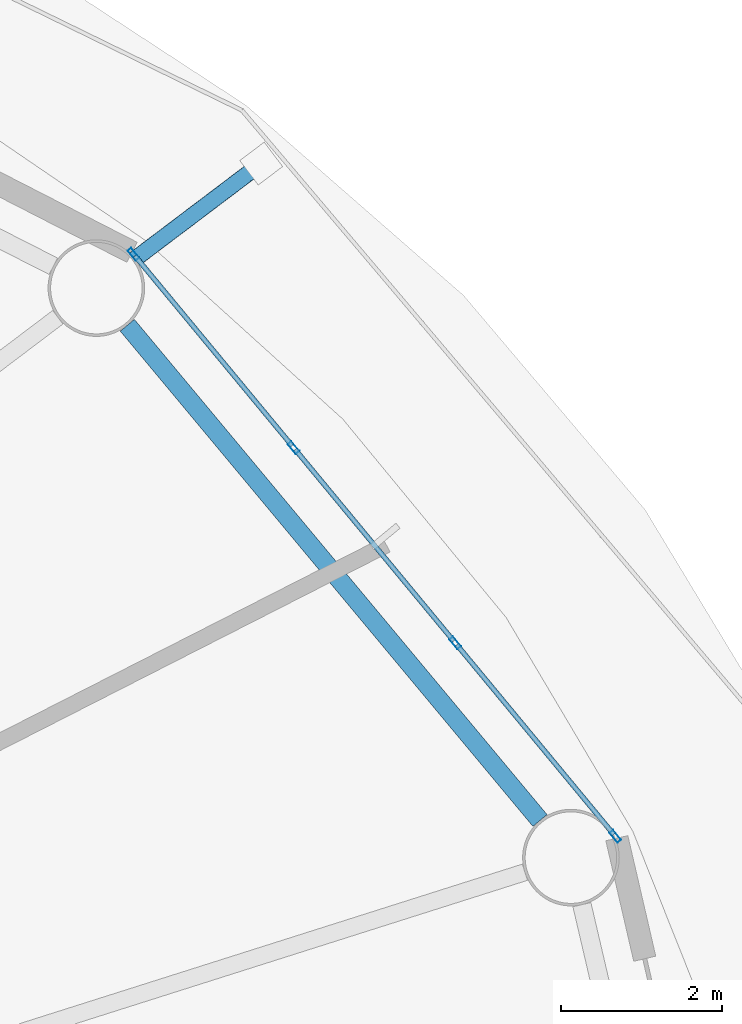
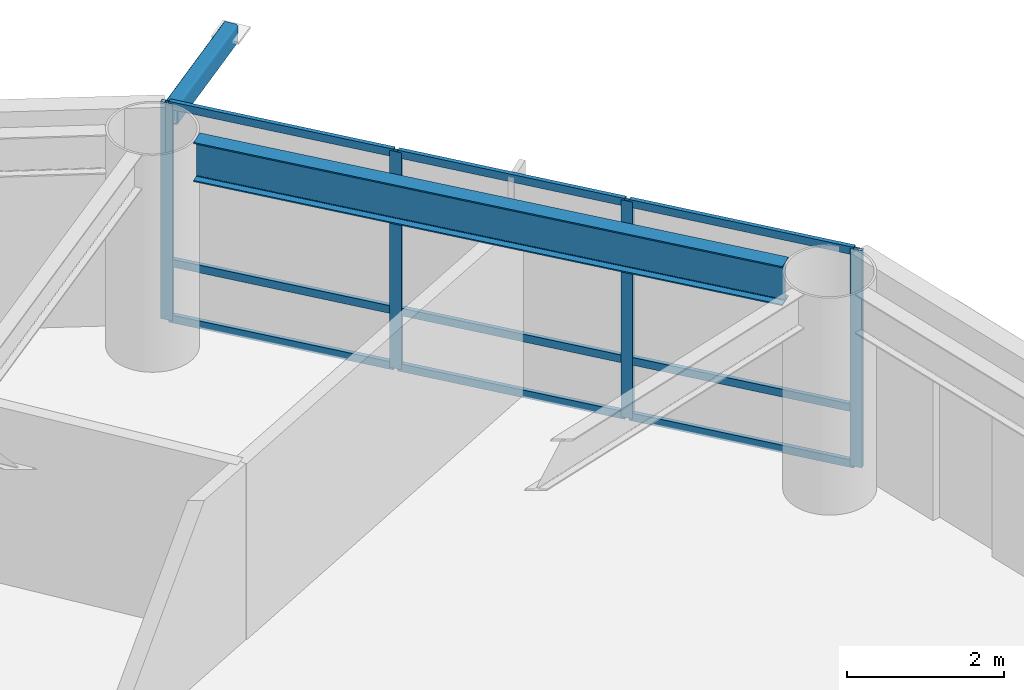
# One storey, part 12 of 24: 14 members, 1 beam, 1 element without a shape of its own.
"""IFC4 building model written with IfcOpenShell, lengths in metres."""

import ifcopenshell
import ifcopenshell.guid

model = None  # the IFC model being written
_history = None  # IfcOwnerHistory: only IFC2X3 demands one
_inside = {}  # id of a spatial element -> (the spatial element, [elements in it])
_under = {}  # id of a project, library or spatial element -> (it, [spatial elements below it])
_declared = {}  # id of a project -> (the project, [libraries it declares])
_typed = {}  # id of a type object -> (the type object, [elements of that type])
_made_of = {}  # id of a material, layer set ... -> (it, [elements and type objects made of it])


def new_model(schema):
    """Start an empty IFC model of exactly this schema.

    Asked for "IFC4X3", IfcOpenShell would pick the latest addendum, in which some entities
    have other attributes; the version numbers below select the first issue.
    IFC2X3 requires an IfcOwnerHistory on every rooted entity: one is made here for all.
    """
    global model, _history
    if schema == "IFC4X3":
        model = ifcopenshell.file(schema_version=(4, 3, 0, 0))
    else:
        model = ifcopenshell.file(schema=schema)
    _inside.clear()
    _under.clear()
    _declared.clear()
    _typed.clear()
    _made_of.clear()
    _history = None
    if model.schema == "IFC2X3":
        org = make("IfcOrganization", Name="unknown")
        user = make(
            "IfcPersonAndOrganization",
            ThePerson=make("IfcPerson", FamilyName="unknown"),
            TheOrganization=org,
        )
        app = make(
            "IfcApplication",
            ApplicationDeveloper=org,
            Version="unknown",
            ApplicationFullName="unknown",
            ApplicationIdentifier="unknown",
        )
        _history = make(
            "IfcOwnerHistory",
            OwningUser=user,
            OwningApplication=app,
            ChangeAction="ADDED",
            CreationDate=0,
        )
    return model


def make(cls, **values):
    """One entity of the class cls with the attributes given. An attribute that is None is left unset."""
    return model.create_entity(
        cls, **{name: value for name, value in values.items() if value is not None}
    )


def rooted(cls, **values):
    """An entity with a GlobalId (a new one), such as an element, a storey or a relation."""
    return make(cls, GlobalId=ifcopenshell.guid.new(), OwnerHistory=_history, **values)


def si_unit(unit_type, name, prefix=None):
    """IfcSIUnit, for example si_unit("LENGTHUNIT", "METRE", prefix="MILLI")."""
    return make("IfcSIUnit", UnitType=unit_type, Prefix=prefix, Name=name)


def assignment(units):
    """IfcUnitAssignment: the units of a project."""
    return None if units is None else make("IfcUnitAssignment", Units=units)


def point(xyz):
    """IfcCartesianPoint."""
    return None if xyz is None else make("IfcCartesianPoint", Coordinates=xyz)


def direction(xyz):
    """IfcDirection."""
    return None if xyz is None else make("IfcDirection", DirectionRatios=xyz)


def frame(location, z_axis=None, x_axis=None):
    """IfcAxis2Placement3D, a coordinate frame: its origin and axes. An axis left out is left unset."""
    return make(
        "IfcAxis2Placement3D",
        Location=point(location),
        Axis=direction(z_axis),
        RefDirection=direction(x_axis),
    )


def frame_2d(location, x_axis=None):
    """IfcAxis2Placement2D, a coordinate frame in the plane: its origin and x axis."""
    return make(
        "IfcAxis2Placement2D", Location=point(location), RefDirection=direction(x_axis)
    )


def origin():
    """The frame at (0, 0, 0) with its axes left unset."""
    return frame((0.0, 0.0, 0.0))


def origin_2d():
    """The frame at (0, 0) in the plane with its x axis left unset."""
    return frame_2d((0.0, 0.0))


def place(relative_to, where):
    """IfcLocalPlacement: puts the frame where relative to a parent placement (None: the world)."""
    return make(
        "IfcLocalPlacement", PlacementRelTo=relative_to, RelativePlacement=where
    )


def context(
    kind, dimensions, precision=None, world=None, true_north=None, identifier=None
):
    """IfcGeometricRepresentationContext, for example the 3D "Model" context."""
    return make(
        "IfcGeometricRepresentationContext",
        ContextIdentifier=identifier,
        ContextType=kind,
        CoordinateSpaceDimension=dimensions,
        Precision=precision,
        WorldCoordinateSystem=world,
        TrueNorth=true_north,
    )


def subcontext(parent, identifier, kind, view, scale=None):
    """IfcGeometricRepresentationSubContext, for example "Body" below "Model"."""
    return make(
        "IfcGeometricRepresentationSubContext",
        ContextIdentifier=identifier,
        ContextType=kind,
        ParentContext=parent,
        TargetScale=scale,
        TargetView=view,
    )


def project(units=None, contexts=None):
    """IfcProject with its units and contexts."""
    return rooted(
        "IfcProject",
        Name="project",
        RepresentationContexts=contexts,
        UnitsInContext=assignment(units),
    )


def spatial(cls, under=None, at=None, **own):
    """A site, building, storey or space (cls), placed at a placement, below another one or the project."""
    s = rooted(cls, ObjectPlacement=at, **own)
    if under is not None:
        _under.setdefault(under.id(), (under, []))[1].append(s)
    return s


def profile(cls, at=None, kind="AREA", **sizes):
    """A parametric profile (cls). Its sizes go by their IFC names, for example OverallWidth=200.0."""
    return make(cls, ProfileType=kind, Position=at, **sizes)


def hollow_rectangle(**sizes):
    """IfcRectangleHollowProfileDef."""
    return profile("IfcRectangleHollowProfileDef", **sizes)


def i_section(**sizes):
    """IfcIShapeProfileDef."""
    return profile("IfcIShapeProfileDef", **sizes)


def extrude(swept, where, along, depth):
    """IfcExtrudedAreaSolid: the profile swept, set in the frame where, extruded along a direction by depth."""
    return make(
        "IfcExtrudedAreaSolid",
        SweptArea=swept,
        Position=where,
        ExtrudedDirection=direction(along),
        Depth=depth,
    )


def shape(context_of_items, identifier, shape_type, items):
    """IfcShapeRepresentation: the items that make up one representation, for example the "Body"."""
    return make(
        "IfcShapeRepresentation",
        ContextOfItems=context_of_items,
        RepresentationIdentifier=identifier,
        RepresentationType=shape_type,
        Items=items,
    )


def material(Name=None, Category=None):
    """IfcMaterial."""
    return make("IfcMaterial", Name=Name, Category=Category)


def layer(
    of_material, thickness, ventilated=None, Name=None, Category=None, Priority=None
):
    """IfcMaterialLayer: one layer of a wall or slab, of a material (None: an air gap)."""
    return make(
        "IfcMaterialLayer",
        Material=of_material,
        LayerThickness=thickness,
        IsVentilated=ventilated,
        Name=Name,
        Category=Category,
        Priority=Priority,
    )


def layer_set(layers, Name=None):
    """IfcMaterialLayerSet."""
    return make("IfcMaterialLayerSet", MaterialLayers=layers, LayerSetName=Name)


def material_profile(
    of_material, cross_section, Name=None, Category=None, Priority=None
):
    """IfcMaterialProfile: a cross section and its material."""
    return make(
        "IfcMaterialProfile",
        Name=Name,
        Material=of_material,
        Profile=cross_section,
        Priority=Priority,
        Category=Category,
    )


def profile_set(profiles, Name=None, composite=None):
    """IfcMaterialProfileSet."""
    return make(
        "IfcMaterialProfileSet",
        Name=Name,
        MaterialProfiles=profiles,
        CompositeProfile=composite,
    )


def made_of(thing, what):
    """Note that an element or type object is made of a material, layer set ...; save() writes the relation."""
    if what is not None:
        _made_of.setdefault(what.id(), (what, []))[1].append(thing)
    return thing


def type_object(cls, material=None, **own):
    """A type object (cls), such as IfcWallType, which elements share."""
    return made_of(rooted(cls, **own), material)


def element(
    cls,
    number,
    at=None,
    inside=None,
    cuts=None,
    type_object=None,
    material=None,
    context=None,
    identifier="Body",
    shape_type=None,
    held_by="IfcProductDefinitionShape",
    body=None,
    shapes=None,
    **own,
):
    """One element of the class cls, such as IfcWall. Its Tag is "e" and its number.

    at: its placement. inside: the storey or other place that contains it. cuts: it is an
    opening in that element (IfcRelVoidsElement). A single representation is given by context,
    identifier, shape_type and body (its items); several are given by shapes. held_by: the class
    of the entity that holds the representations. save() writes the other relations.
    """
    e = rooted(cls, Tag="e%d" % number, ObjectPlacement=at, **own)
    if body is not None:
        shapes = [shape(context, identifier, shape_type, body)]
    if shapes is not None:
        e.Representation = make(held_by, Representations=shapes)
    if inside is not None:
        _inside.setdefault(inside.id(), (inside, []))[1].append(e)
    if cuts is not None:
        rooted(
            "IfcRelVoidsElement", RelatingBuildingElement=cuts, RelatedOpeningElement=e
        )
    if type_object is not None:
        _typed.setdefault(type_object.id(), (type_object, []))[1].append(e)
    return made_of(e, material)


def aggregate(whole, parts):
    """IfcRelAggregates: a whole, such as a stair, and the parts it consists of."""
    return rooted("IfcRelAggregates", RelatingObject=whole, RelatedObjects=parts)


def save(model, path):
    """Write the relations noted so far, then the file.

    IfcRelAggregates (storeys below a building ...), IfcRelContainedInSpatialStructure (elements
    in a storey), IfcRelDefinesByType, IfcRelAssociatesMaterial and IfcRelDeclares: one each for
    every whole, place, type object, material and project.
    """
    for whole, parts in _under.values():
        aggregate(whole, parts)
    for where, things in _inside.values():
        rooted(
            "IfcRelContainedInSpatialStructure",
            RelatedElements=things,
            RelatingStructure=where,
        )
    for kind, things in _typed.values():
        rooted("IfcRelDefinesByType", RelatedObjects=things, RelatingType=kind)
    for what, things in _made_of.values():
        rooted("IfcRelAssociatesMaterial", RelatedObjects=things, RelatingMaterial=what)
    for by, libraries in _declared.values():
        rooted("IfcRelDeclares", RelatingContext=by, RelatedDefinitions=libraries)
    model.write(path)


model = new_model("IFC4")

# Units and contexts
model_context = context("Model", 3, precision=1e-05, world=origin(), true_north=direction((0.0, 1.0)))
body_context = subcontext(model_context, "Body", "Model", "MODEL_VIEW")
ifc_project = project(units=[si_unit("LENGTHUNIT", "METRE"), si_unit("AREAUNIT", "SQUARE_METRE"), si_unit("VOLUMEUNIT", "CUBIC_METRE"), si_unit("PLANEANGLEUNIT", "RADIAN"), si_unit("MASSUNIT", "GRAM", prefix="KILO")], contexts=[model_context])

# Site, building, storey
site_placement = place(None, origin())
site = spatial("IfcSite", under=ifc_project, at=site_placement, CompositionType="ELEMENT")
building_placement = place(site_placement, origin())
building = spatial("IfcBuilding", under=site, at=building_placement, Name="Sarneth Arch Tower", CompositionType="ELEMENT")
storey_placement = place(building_placement, frame((0.0, 0.0, 105.60009765625)))
storey = spatial("IfcBuildingStorey", under=building, at=storey_placement, Name="L26", CompositionType="ELEMENT", Elevation=105.60009765625)

# Beam
ifc_material_1 = material(Name="Steel S355", Category="steel")
ifc_material_profile_1 = material_profile(ifc_material_1, i_section(OverallWidth=0.22900390625, OverallDepth=0.612060546875, WebThickness=0.011962890625, FlangeThickness=0.01953125, FilletRadius=0.01904296875, at=origin_2d()), Name="W610x125")
ifc_profile_set_1 = profile_set([ifc_material_profile_1], Name="Steel S355")
beam_type = type_object("IfcBeamType", Name="BM-SPAN-610C", PredefinedType="SPANDREL", material=ifc_profile_set_1)
beam_placement = place(storey_placement, frame((73.906982421875, 50.803466796875, 3.073974609375), z_axis=(-0.640163403463, 0.768238775946, 0.0), x_axis=(-0.768238775946, -0.640163403463, 0.0)))
element("IfcBeam", 1, at=beam_placement, inside=storey, type_object=beam_type, Name="L26 Perimeter spandrel beam 02", PredefinedType="SPANDREL", context=body_context, shape_type="SweptSolid", body=[
    extrude(i_section(OverallWidth=0.22900390625, OverallDepth=0.612060546875, WebThickness=0.011962890625, FlangeThickness=0.01953125, FilletRadius=0.01904296875, at=origin_2d()), origin(), (0.0, 0.0, 1.0), 8.006103515625),
])

# Curtain wall, members
ifc_material_2 = material(Name="Anodised aluminium Type AA25 and solar-control low-e laminated IGU", Category="aluminium")
ifc_layer = layer(ifc_material_2, 0.159912109375)
ifc_layer_set = layer_set([ifc_layer], Name="Anodised aluminium Type AA25 and solar-control low-e laminated IGU")
curtain_wall_type = type_object("IfcCurtainWallType", Name="CW-HOTEL-MID", PredefinedType="NOTDEFINED", material=ifc_layer_set)
curtain_wall_placement = place(storey_placement, origin())
curtain_wall = element("IfcCurtainWall", 2, at=curtain_wall_placement, inside=storey, type_object=curtain_wall_type, Name="L26 Unitised curtain wall facet 02", PredefinedType="NOTDEFINED")
ifc_material_3 = material(Name="Anodised Aluminium 6063-T6", Category="aluminium")
ifc_material_profile_2 = material_profile(ifc_material_3, hollow_rectangle(XDim=0.06005859375, YDim=0.159912109375, WallThickness=0.00390625, at=origin_2d()), Name="AL-MULL-160x60x4")
ifc_profile_set_2 = profile_set([ifc_material_profile_2], Name="Anodised Aluminium 6063-T6")
member_type_1 = type_object("IfcMemberType", Name="CW-MULLION", PredefinedType="MULLION", material=ifc_profile_set_2)
member_1_placement = place(storey_placement, frame((74.84228515625, 50.606689453125, 0.0), z_axis=(0.0, 0.0, 1.0), x_axis=(-0.770437787363, -0.637515188684, 0.0)))
member_1 = element("IfcMember", 3, at=member_1_placement, type_object=member_type_1, Name="CW-SYS-4 mullion 1", PredefinedType="MULLION", context=body_context, shape_type="SweptSolid", body=[
    extrude(hollow_rectangle(XDim=0.06005859375, YDim=0.159912109375, WallThickness=0.00390625, at=origin_2d()), origin(), (0.0, 0.0, 1.0), 3.3798828125),
])
member_2_placement = place(storey_placement, frame((72.854248046875, 53.00927734375, 0.0), z_axis=(0.0, 0.0, 1.0), x_axis=(-0.770437787363, -0.637515188684, 0.0)))
member_2 = element("IfcMember", 4, at=member_2_placement, type_object=member_type_1, Name="CW-SYS-4 mullion 2", PredefinedType="MULLION", context=body_context, shape_type="SweptSolid", body=[
    extrude(hollow_rectangle(XDim=0.06005859375, YDim=0.159912109375, WallThickness=0.00390625, at=origin_2d()), origin(), (0.0, 0.0, 1.0), 3.3798828125),
])
member_3_placement = place(storey_placement, frame((70.84716796875, 55.434814453125, 0.0), z_axis=(0.0, 0.0, 1.0), x_axis=(-0.770437787363, -0.637515188684, 0.0)))
member_3 = element("IfcMember", 5, at=member_3_placement, type_object=member_type_1, Name="CW-SYS-4 mullion 3", PredefinedType="MULLION", context=body_context, shape_type="SweptSolid", body=[
    extrude(hollow_rectangle(XDim=0.06005859375, YDim=0.159912109375, WallThickness=0.00390625, at=origin_2d()), origin(), (0.0, 0.0, 1.0), 3.3798828125),
])
member_4_placement = place(storey_placement, frame((68.859130859375, 57.83740234375, 0.0), z_axis=(0.0, 0.0, 1.0), x_axis=(-0.770437787363, -0.637515188684, 0.0)))
member_4 = element("IfcMember", 6, at=member_4_placement, type_object=member_type_1, Name="CW-SYS-4 mullion 4", PredefinedType="MULLION", context=body_context, shape_type="SweptSolid", body=[
    extrude(hollow_rectangle(XDim=0.06005859375, YDim=0.159912109375, WallThickness=0.00390625, at=origin_2d()), origin(), (0.0, 0.0, 1.0), 3.3798828125),
])
ifc_material_4 = material(Name="Anodised Aluminium 6063-T6", Category="aluminium")
ifc_material_profile_3 = material_profile(ifc_material_4, hollow_rectangle(XDim=0.06005859375, YDim=0.1201171875, WallThickness=0.00390625, at=origin_2d()), Name="AL-TRAN-120x60x4")
ifc_profile_set_3 = profile_set([ifc_material_profile_3], Name="Anodised Aluminium 6063-T6")
member_type_2 = type_object("IfcMemberType", Name="CW-TRANSOM", PredefinedType="USERDEFINED", material=ifc_profile_set_3)
member_5_placement = place(storey_placement, frame((74.8232421875, 50.6298828125, 0.02978515625), z_axis=(-0.637566080343, 0.770395673142, 0.0), x_axis=(-0.770395673142, -0.637566080343, 0.0)))
member_5 = element("IfcMember", 7, at=member_5_placement, type_object=member_type_2, Name="CW-SYS-4 transom 1.1", ObjectType="TRANSOM", PredefinedType="USERDEFINED", context=body_context, shape_type="SweptSolid", body=[
    extrude(hollow_rectangle(XDim=0.06005859375, YDim=0.1201171875, WallThickness=0.00390625, at=origin_2d()), origin(), (0.0, 0.0, 1.0), 3.058349609375),
])
member_6_placement = place(storey_placement, frame((74.8232421875, 50.6298828125, 0.89990234375), z_axis=(-0.637566080343, 0.770395673142, 0.0), x_axis=(-0.770395673142, -0.637566080343, 0.0)))
member_6 = element("IfcMember", 8, at=member_6_placement, type_object=member_type_2, Name="CW-SYS-4 transom 1.2", ObjectType="TRANSOM", PredefinedType="USERDEFINED", context=body_context, shape_type="SweptSolid", body=[
    extrude(hollow_rectangle(XDim=0.06005859375, YDim=0.1201171875, WallThickness=0.00390625, at=origin_2d()), origin(), (0.0, 0.0, 1.0), 3.058349609375),
])
member_7_placement = place(storey_placement, frame((74.8232421875, 50.6298828125, 3.349853515625), z_axis=(-0.637566080343, 0.770395673142, 0.0), x_axis=(-0.770395673142, -0.637566080343, 0.0)))
member_7 = element("IfcMember", 9, at=member_7_placement, type_object=member_type_2, Name="CW-SYS-4 transom 1.3", ObjectType="TRANSOM", PredefinedType="USERDEFINED", context=body_context, shape_type="SweptSolid", body=[
    extrude(hollow_rectangle(XDim=0.06005859375, YDim=0.1201171875, WallThickness=0.00390625, at=origin_2d()), origin(), (0.0, 0.0, 1.0), 3.058349609375),
])
member_8_placement = place(storey_placement, frame((72.835205078125, 53.0322265625, 0.02978515625), z_axis=(-0.637536975021, 0.770419759275, 0.0), x_axis=(-0.770419759275, -0.637536975021, 0.0)))
member_8 = element("IfcMember", 10, at=member_8_placement, type_object=member_type_2, Name="CW-SYS-4 transom 2.1", ObjectType="TRANSOM", PredefinedType="USERDEFINED", context=body_context, shape_type="SweptSolid", body=[
    extrude(hollow_rectangle(XDim=0.06005859375, YDim=0.1201171875, WallThickness=0.00390625, at=origin_2d()), origin(), (0.0, 0.0, 1.0), 3.08837890625),
])
member_9_placement = place(storey_placement, frame((72.835205078125, 53.0322265625, 0.89990234375), z_axis=(-0.637536975021, 0.770419759275, 0.0), x_axis=(-0.770419759275, -0.637536975021, 0.0)))
member_9 = element("IfcMember", 11, at=member_9_placement, type_object=member_type_2, Name="CW-SYS-4 transom 2.2", ObjectType="TRANSOM", PredefinedType="USERDEFINED", context=body_context, shape_type="SweptSolid", body=[
    extrude(hollow_rectangle(XDim=0.06005859375, YDim=0.1201171875, WallThickness=0.00390625, at=origin_2d()), origin(), (0.0, 0.0, 1.0), 3.08837890625),
])
member_10_placement = place(storey_placement, frame((72.835205078125, 53.0322265625, 3.349853515625), z_axis=(-0.637536975021, 0.770419759275, 0.0), x_axis=(-0.770419759275, -0.637536975021, 0.0)))
member_10 = element("IfcMember", 12, at=member_10_placement, type_object=member_type_2, Name="CW-SYS-4 transom 2.3", ObjectType="TRANSOM", PredefinedType="USERDEFINED", context=body_context, shape_type="SweptSolid", body=[
    extrude(hollow_rectangle(XDim=0.06005859375, YDim=0.1201171875, WallThickness=0.00390625, at=origin_2d()), origin(), (0.0, 0.0, 1.0), 3.08837890625),
])
member_11_placement = place(storey_placement, frame((70.828125, 55.4580078125, 0.02978515625), z_axis=(-0.637566080343, 0.770395673142, 0.0), x_axis=(-0.770395673142, -0.637566080343, 0.0)))
member_11 = element("IfcMember", 13, at=member_11_placement, type_object=member_type_2, Name="CW-SYS-4 transom 3.1", ObjectType="TRANSOM", PredefinedType="USERDEFINED", context=body_context, shape_type="SweptSolid", body=[
    extrude(hollow_rectangle(XDim=0.06005859375, YDim=0.1201171875, WallThickness=0.00390625, at=origin_2d()), origin(), (0.0, 0.0, 1.0), 3.058349609375),
])
member_12_placement = place(storey_placement, frame((70.828125, 55.4580078125, 0.89990234375), z_axis=(-0.637566080343, 0.770395673142, 0.0), x_axis=(-0.770395673142, -0.637566080343, 0.0)))
member_12 = element("IfcMember", 14, at=member_12_placement, type_object=member_type_2, Name="CW-SYS-4 transom 3.2", ObjectType="TRANSOM", PredefinedType="USERDEFINED", context=body_context, shape_type="SweptSolid", body=[
    extrude(hollow_rectangle(XDim=0.06005859375, YDim=0.1201171875, WallThickness=0.00390625, at=origin_2d()), origin(), (0.0, 0.0, 1.0), 3.058349609375),
])
member_13_placement = place(storey_placement, frame((70.828125, 55.4580078125, 3.349853515625), z_axis=(-0.637566080343, 0.770395673142, 0.0), x_axis=(-0.770395673142, -0.637566080343, 0.0)))
member_13 = element("IfcMember", 15, at=member_13_placement, type_object=member_type_2, Name="CW-SYS-4 transom 3.3", ObjectType="TRANSOM", PredefinedType="USERDEFINED", context=body_context, shape_type="SweptSolid", body=[
    extrude(hollow_rectangle(XDim=0.06005859375, YDim=0.1201171875, WallThickness=0.00390625, at=origin_2d()), origin(), (0.0, 0.0, 1.0), 3.058349609375),
])
aggregate(curtain_wall, [member_1, member_2, member_3, member_4, member_5, member_6, member_7, member_8, member_9, member_10, member_11, member_12, member_13])

# Member
ifc_material_5 = material(Name="Steel S355", Category="steel")
ifc_material_profile_4 = material_profile(ifc_material_5, hollow_rectangle(XDim=0.199951171875, YDim=0.300048828125, WallThickness=0.012451171875, InnerFilletRadius=0.018798828125, OuterFilletRadius=0.03125, at=origin_2d()), Name="RHS300x200x12.5")
ifc_profile_set_4 = profile_set([ifc_material_profile_4], Name="Steel S355")
member_type_3 = type_object("IfcMemberType", Name="MEM-CANT-STRUT", PredefinedType="STRUT", material=ifc_profile_set_4)
member_14_placement = place(storey_placement, frame((68.876220703125, 57.776611328125, 3.219970703125), z_axis=(0.797834141311, 0.602877004835, 0.0), x_axis=(-0.602877004835, 0.797834141311, 0.0)))
element("IfcMember", 16, at=member_14_placement, inside=storey, type_object=member_type_3, Name="L26 Balcony cantilever bracket 03", PredefinedType="STRUT", context=body_context, shape_type="SweptSolid", body=[
    extrude(hollow_rectangle(XDim=0.199951171875, YDim=0.300048828125, WallThickness=0.012451171875, InnerFilletRadius=0.018798828125, OuterFilletRadius=0.03125, at=origin_2d()), origin(), (0.0, 0.0, 1.0), 1.966064453125),
])

save(model, "model.ifc")
